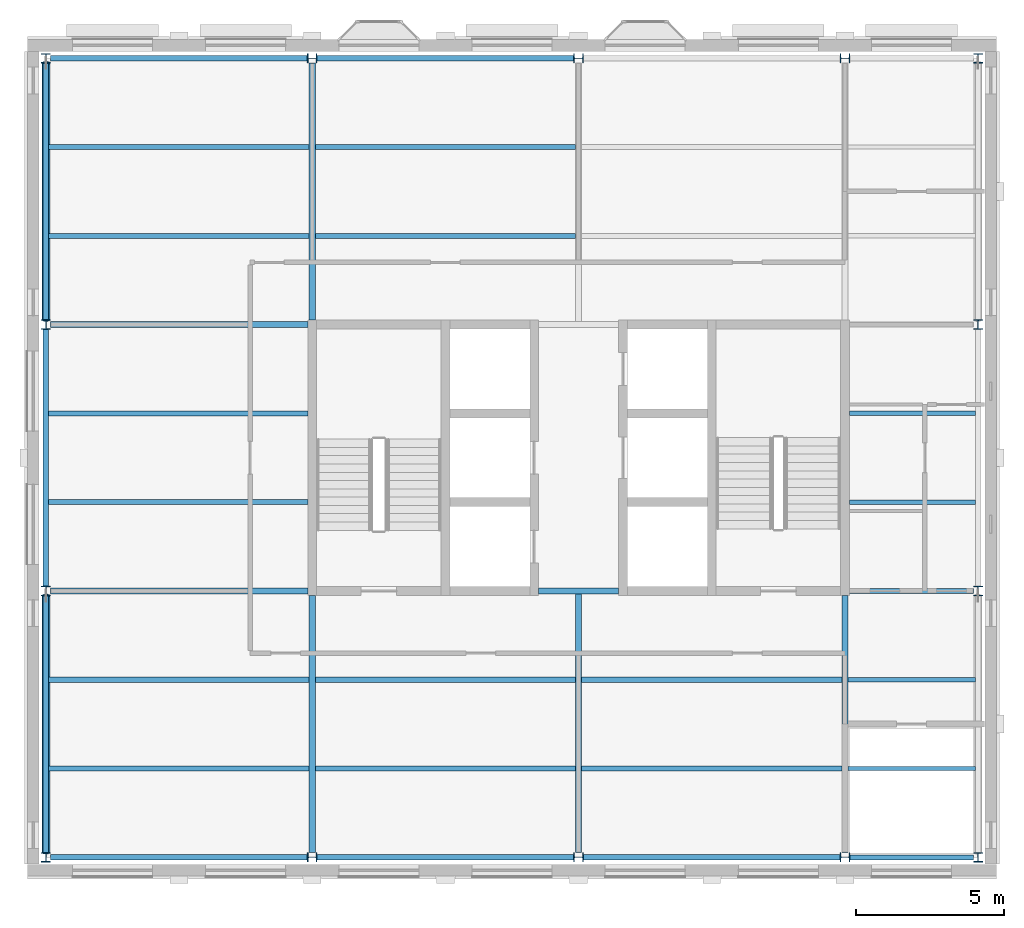
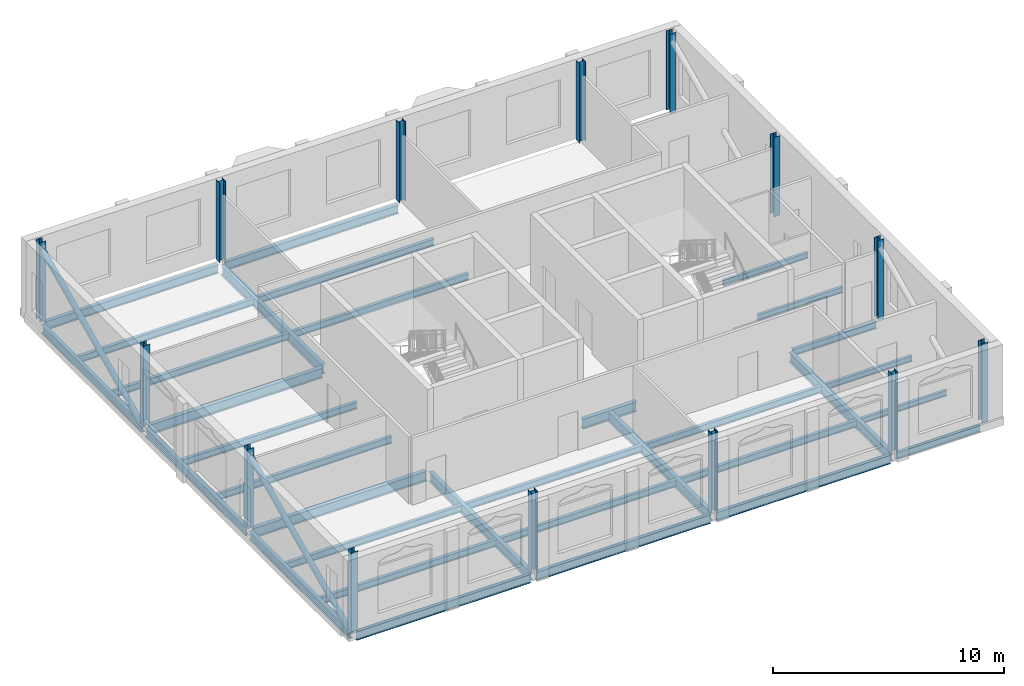
# One storey, part 1 of 9: 33 beams, 14 columns, 2 members.
"""IFC4 building model written with IfcOpenShell, lengths in metres."""

from ifc_helpers import new_model, si_unit, direction, frame, origin, origin_2d, place, context, subcontext, project, spatial, hollow_circle, i_section, extrude, material, material_profile, profile_set, type_object, element, save


model = new_model("IFC4")

# Units and contexts
model_context = context("Model", 3, precision=1e-05, world=origin(), true_north=direction((0.0, 1.0)))
body_context = subcontext(model_context, "Body", "Model", "MODEL_VIEW")
ifc_project = project(units=[si_unit("LENGTHUNIT", "METRE"), si_unit("AREAUNIT", "SQUARE_METRE"), si_unit("VOLUMEUNIT", "CUBIC_METRE"), si_unit("PLANEANGLEUNIT", "RADIAN"), si_unit("MASSUNIT", "GRAM", prefix="KILO")], contexts=[model_context])

# Site, building, storey
site_placement = place(None, origin())
site = spatial("IfcSite", under=ifc_project, at=site_placement, CompositionType="ELEMENT")
building_placement = place(site_placement, origin())
building = spatial("IfcBuilding", under=site, at=building_placement, Name="Hortulan Conservatory and Botanical Research Centre", CompositionType="ELEMENT")
storey_placement = place(building_placement, frame((0.0, 0.0, 48.60009765625)))
storey = spatial("IfcBuildingStorey", under=building, at=storey_placement, Name="L11", CompositionType="ELEMENT", Elevation=48.60009765625)

# Columns
ifc_material_1 = material(Name="Steel Grade 300PLUS (AS/NZS 3679.1, 280 MPa minimum yield)", Category="steel")
ifc_material_profile_1 = material_profile(ifc_material_1, i_section(OverallWidth=0.30908203125, OverallDepth=0.321044921875, WebThickness=0.013916015625, FlangeThickness=0.021728515625, FilletRadius=0.0166015625, at=origin_2d()), Name="310UC137")
ifc_profile_set_1 = profile_set([ifc_material_profile_1], Name="Steel Grade 300PLUS (AS/NZS 3679.1, 280 MPa minimum yield)")
column_type = type_object("IfcColumnType", Name="Tower Column 310UC137", PredefinedType="COLUMN", material=ifc_profile_set_1)
for number, where, z_axis, x_axis, name in (
    (1, (0.0, 0.0, 0.0), (0.0, 0.0, 1.0), (1.0, 0.0, 0.0), "310UC137 column"),
    (2, (0.0, 9.0, 0.0), (0.0, 0.0, 1.0), (1.0, 0.0, 0.0), "310UC137 column"),
    (3, (0.0, 18.0, 0.0), (0.0, 0.0, 1.0), (1.0, 0.0, 0.0), "310UC137 column"),
    (4, (0.0, 27.0, 0.0), (0.0, 0.0, 1.0), (1.0, 0.0, 0.0), "310UC137 column"),
    (5, (9.0, 0.0, 0.0), (0.0, 0.0, 1.0), (0.0, 1.0, 0.0), "310UC137 column"),
    (6, (9.0, 27.0, 0.0), (0.0, 0.0, 1.0), (0.0, 1.0, 0.0), "310UC137 column"),
    (7, (18.0, 0.0, 0.0), (0.0, 0.0, 1.0), (0.0, 1.0, 0.0), "310UC137 column"),
    (8, (18.0, 27.0, 0.0), (0.0, 0.0, 1.0), (0.0, 1.0, 0.0), "310UC137 column"),
    (9, (27.0, 0.0, 0.0), (0.0, 0.0, 1.0), (0.0, 1.0, 0.0), "310UC137 column"),
    (10, (27.0, 27.0, 0.0), (0.0, 0.0, 1.0), (0.0, 1.0, 0.0), "310UC137 column"),
    (11, (31.5, 0.0, 0.0), (0.0, 0.0, 1.0), (1.0, 0.0, 0.0), "310UC137 column"),
    (12, (31.5, 9.0, 0.0), (0.0, 0.0, 1.0), (1.0, 0.0, 0.0), "310UC137 column"),
    (13, (31.5, 18.0, 0.0), (0.0, 0.0, 1.0), (1.0, 0.0, 0.0), "310UC137 column"),
    (14, (31.5, 27.0, 0.0), (0.0, 0.0, 1.0), (1.0, 0.0, 0.0), "310UC137 column"),
):
    element("IfcColumn", number, at=place(storey_placement, frame(where, z_axis=z_axis, x_axis=x_axis)), inside=storey, type_object=column_type, Name=name, PredefinedType="COLUMN", context=body_context, shape_type="SweptSolid", body=[
        extrude(i_section(OverallWidth=0.30908203125, OverallDepth=0.321044921875, WebThickness=0.013916015625, FlangeThickness=0.021728515625, FilletRadius=0.0166015625, at=origin_2d()), origin(), (0.0, 0.0, 1.0), 4.199951171875),
    ])

# Members
ifc_material_2 = material(Name="Steel Grade C350L0 (350 MPa, AS/NZS 1163)", Category="steel")
ifc_material_profile_2 = material_profile(ifc_material_2, hollow_circle(Radius=0.136474609375, WallThickness=0.00927734375, at=origin_2d()), Name="273.1x9.3CHS")
ifc_profile_set_2 = profile_set([ifc_material_profile_2], Name="Steel Grade C350L0 (350 MPa, AS/NZS 1163)")
member_type = type_object("IfcMemberType", Name="Brace 273.1x9.3CHS", PredefinedType="BRACE", material=ifc_profile_set_2)
for number, where, z_axis, x_axis, name in (
    (15, (0.0, 0.160400390625, -0.28369140625), (0.0, 0.906183139995, 0.422885465331), (-1.0, 0.0, 0.0), "273.1x9.3CHS brace"),
    (16, (0.0, 18.160400390625, -0.28369140625), (0.0, 0.906183139995, 0.422885465331), (-1.0, 0.0, 0.0), "273.1x9.3CHS brace"),
):
    element("IfcMember", number, at=place(storey_placement, frame(where, z_axis=z_axis, x_axis=x_axis)), inside=storey, type_object=member_type, Name=name, PredefinedType="BRACE", context=body_context, shape_type="SweptSolid", body=[
        extrude(hollow_circle(Radius=0.136474609375, WallThickness=0.00927734375, at=origin_2d()), origin(), (0.0, 0.0, 1.0), 9.57763671875),
    ])

# Beams
ifc_material_profile_3 = material_profile(ifc_material_1, i_section(OverallWidth=0.1708984375, OverallDepth=0.35595703125, WebThickness=0.00732421875, FlangeThickness=0.011474609375, FilletRadius=0.011474609375, at=origin_2d()), Name="360UB50.7")
ifc_profile_set_3 = profile_set([ifc_material_profile_3], Name="Steel Grade 300PLUS (AS/NZS 3679.1, 280 MPa minimum yield)")
beam_type_1 = type_object("IfcBeamType", Name="Primary Beam 360UB50.7", PredefinedType="BEAM", material=ifc_profile_set_3)
beam_1_placement = place(storey_placement, frame((27.160400390625, 0.0, -0.30810546875), z_axis=(1.0, 0.0, 0.0), x_axis=(0.0, 1.0, 0.0)))
element("IfcBeam", 17, at=beam_1_placement, inside=storey, type_object=beam_type_1, Name="360UB50.7 girder", PredefinedType="BEAM", context=body_context, shape_type="SweptSolid", body=[
    extrude(i_section(OverallWidth=0.1708984375, OverallDepth=0.35595703125, WebThickness=0.00732421875, FlangeThickness=0.011474609375, FilletRadius=0.011474609375, at=origin_2d()), origin(), (0.0, 0.0, 1.0), 4.18505859375),
])
beam_2_placement = place(storey_placement, frame((27.14990234375, 9.0, -0.30810546875), z_axis=(1.0, 0.0, 0.0), x_axis=(0.0, 1.0, 0.0)))
element("IfcBeam", 18, at=beam_2_placement, inside=storey, type_object=beam_type_1, Name="360UB50.7 girder", PredefinedType="BEAM", context=body_context, shape_type="SweptSolid", body=[
    extrude(i_section(OverallWidth=0.1708984375, OverallDepth=0.35595703125, WebThickness=0.00732421875, FlangeThickness=0.011474609375, FilletRadius=0.011474609375, at=origin_2d()), origin(), (0.0, 0.0, 1.0), 4.195556640625),
])
ifc_material_profile_4 = material_profile(ifc_material_1, i_section(OverallWidth=0.18994140625, OverallDepth=0.45703125, WebThickness=0.009033203125, FlangeThickness=0.014404296875, FilletRadius=0.011474609375, at=origin_2d()), Name="460UB74.6")
ifc_profile_set_4 = profile_set([ifc_material_profile_4], Name="Steel Grade 300PLUS (AS/NZS 3679.1, 280 MPa minimum yield)")
beam_type_2 = type_object("IfcBeamType", Name="Primary Beam 460UB74.6", PredefinedType="BEAM", material=ifc_profile_set_4)
beam_3_placement = place(storey_placement, frame((0.0, 0.160400390625, -0.358642578125), z_axis=(0.0, 1.0, 0.0), x_axis=(-1.0, 0.0, 0.0)))
element("IfcBeam", 19, at=beam_3_placement, inside=storey, type_object=beam_type_2, Name="460UB74.6 girder", PredefinedType="BEAM", context=body_context, shape_type="SweptSolid", body=[
    extrude(i_section(OverallWidth=0.18994140625, OverallDepth=0.45703125, WebThickness=0.009033203125, FlangeThickness=0.014404296875, FilletRadius=0.011474609375, at=origin_2d()), origin(), (0.0, 0.0, 1.0), 8.67919921875),
])
beam_4_placement = place(storey_placement, frame((0.154541015625, 0.0, -0.358642578125), z_axis=(1.0, 0.0, 0.0), x_axis=(0.0, 1.0, 0.0)))
element("IfcBeam", 20, at=beam_4_placement, inside=storey, type_object=beam_type_2, Name="460UB74.6 girder", PredefinedType="BEAM", context=body_context, shape_type="SweptSolid", body=[
    extrude(i_section(OverallWidth=0.18994140625, OverallDepth=0.45703125, WebThickness=0.009033203125, FlangeThickness=0.014404296875, FilletRadius=0.011474609375, at=origin_2d()), origin(), (0.0, 0.0, 1.0), 8.68505859375),
])
for number, where, z_axis, x_axis, name in (
    (21, (0.0, 9.160400390625, -0.358642578125), (0.0, 1.0, 0.0), (-1.0, 0.0, 0.0), "460UB74.6 girder"),
    (22, (0.0, 18.160400390625, -0.358642578125), (0.0, 1.0, 0.0), (-1.0, 0.0, 0.0), "460UB74.6 girder"),
):
    element("IfcBeam", number, at=place(storey_placement, frame(where, z_axis=z_axis, x_axis=x_axis)), inside=storey, type_object=beam_type_2, Name=name, PredefinedType="BEAM", context=body_context, shape_type="SweptSolid", body=[
        extrude(i_section(OverallWidth=0.18994140625, OverallDepth=0.45703125, WebThickness=0.009033203125, FlangeThickness=0.014404296875, FilletRadius=0.011474609375, at=origin_2d()), origin(), (0.0, 0.0, 1.0), 8.67919921875),
    ])
beam_5_placement = place(storey_placement, frame((0.154541015625, 27.0, -0.358642578125), z_axis=(1.0, 0.0, 0.0), x_axis=(0.0, 1.0, 0.0)))
element("IfcBeam", 23, at=beam_5_placement, inside=storey, type_object=beam_type_2, Name="460UB74.6 girder", PredefinedType="BEAM", context=body_context, shape_type="SweptSolid", body=[
    extrude(i_section(OverallWidth=0.18994140625, OverallDepth=0.45703125, WebThickness=0.009033203125, FlangeThickness=0.014404296875, FilletRadius=0.011474609375, at=origin_2d()), origin(), (0.0, 0.0, 1.0), 8.68505859375),
])
for number, where, z_axis, x_axis, name in (
    (24, (9.160400390625, 0.0, -0.358642578125), (1.0, 0.0, 0.0), (0.0, 1.0, 0.0), "460UB74.6 girder"),
    (25, (9.160400390625, 27.0, -0.358642578125), (1.0, 0.0, 0.0), (0.0, 1.0, 0.0), "460UB74.6 girder"),
    (26, (18.160400390625, 0.0, -0.358642578125), (1.0, 0.0, 0.0), (0.0, 1.0, 0.0), "460UB74.6 girder"),
):
    element("IfcBeam", number, at=place(storey_placement, frame(where, z_axis=z_axis, x_axis=x_axis)), inside=storey, type_object=beam_type_2, Name=name, PredefinedType="BEAM", context=body_context, shape_type="SweptSolid", body=[
        extrude(i_section(OverallWidth=0.18994140625, OverallDepth=0.45703125, WebThickness=0.009033203125, FlangeThickness=0.014404296875, FilletRadius=0.011474609375, at=origin_2d()), origin(), (0.0, 0.0, 1.0), 8.67919921875),
    ])
ifc_material_profile_5 = material_profile(ifc_material_1, i_section(OverallWidth=0.208984375, OverallDepth=0.528076171875, WebThickness=0.009521484375, FlangeThickness=0.01318359375, FilletRadius=0.013916015625, at=origin_2d()), Name="530UB82.0")
ifc_profile_set_5 = profile_set([ifc_material_profile_5], Name="Steel Grade 300PLUS (AS/NZS 3679.1, 280 MPa minimum yield)")
beam_type_3 = type_object("IfcBeamType", Name="Primary Beam 530UB82.0", PredefinedType="BEAM", material=ifc_profile_set_5)
for number, where, z_axis, x_axis, name in (
    (27, (0.154541015625, 9.0, -0.39404296875), (1.0, 0.0, 0.0), (0.0, 1.0, 0.0), "530UB82.0 girder"),
    (28, (0.154541015625, 18.0, -0.39404296875), (1.0, 0.0, 0.0), (0.0, 1.0, 0.0), "530UB82.0 girder"),
    (29, (9.0, 0.154541015625, -0.39404296875), (0.0, 1.0, 0.0), (-1.0, 0.0, 0.0), "530UB82.0 girder"),
    (30, (9.0, 18.14990234375, -0.39404296875), (0.0, 1.0, 0.0), (-1.0, 0.0, 0.0), "530UB82.0 girder"),
):
    element("IfcBeam", number, at=place(storey_placement, frame(where, z_axis=z_axis, x_axis=x_axis)), inside=storey, type_object=beam_type_3, Name=name, PredefinedType="BEAM", context=body_context, shape_type="SweptSolid", body=[
        extrude(i_section(OverallWidth=0.208984375, OverallDepth=0.528076171875, WebThickness=0.009521484375, FlangeThickness=0.01318359375, FilletRadius=0.013916015625, at=origin_2d()), origin(), (0.0, 0.0, 1.0), 8.695556640625),
    ])
beam_6_placement = place(storey_placement, frame((16.64990234375, 9.0, -0.39404296875), z_axis=(1.0, 0.0, 0.0), x_axis=(0.0, 1.0, 0.0)))
element("IfcBeam", 31, at=beam_6_placement, inside=storey, type_object=beam_type_3, Name="530UB82.0 girder", PredefinedType="BEAM", context=body_context, shape_type="SweptSolid", body=[
    extrude(i_section(OverallWidth=0.208984375, OverallDepth=0.528076171875, WebThickness=0.009521484375, FlangeThickness=0.01318359375, FilletRadius=0.013916015625, at=origin_2d()), origin(), (0.0, 0.0, 1.0), 2.7001953125),
])
beam_7_placement = place(storey_placement, frame((18.0, 0.154541015625, -0.39404296875), z_axis=(0.0, 1.0, 0.0), x_axis=(-1.0, 0.0, 0.0)))
element("IfcBeam", 32, at=beam_7_placement, inside=storey, type_object=beam_type_3, Name="530UB82.0 girder", PredefinedType="BEAM", context=body_context, shape_type="SweptSolid", body=[
    extrude(i_section(OverallWidth=0.208984375, OverallDepth=0.528076171875, WebThickness=0.009521484375, FlangeThickness=0.01318359375, FilletRadius=0.013916015625, at=origin_2d()), origin(), (0.0, 0.0, 1.0), 8.845458984375),
])
beam_8_placement = place(storey_placement, frame((27.0, 0.154541015625, -0.39404296875), z_axis=(0.0, 1.0, 0.0), x_axis=(-1.0, 0.0, 0.0)))
element("IfcBeam", 33, at=beam_8_placement, inside=storey, type_object=beam_type_3, Name="530UB82.0 girder", PredefinedType="BEAM", context=body_context, shape_type="SweptSolid", body=[
    extrude(i_section(OverallWidth=0.208984375, OverallDepth=0.528076171875, WebThickness=0.009521484375, FlangeThickness=0.01318359375, FilletRadius=0.013916015625, at=origin_2d()), origin(), (0.0, 0.0, 1.0), 8.695556640625),
])
ifc_material_profile_6 = material_profile(ifc_material_1, i_section(OverallWidth=0.14892578125, OverallDepth=0.298095703125, WebThickness=0.005615234375, FlangeThickness=0.008056640625, FilletRadius=0.012939453125, at=origin_2d()), Name="310UB32.0")
ifc_profile_set_6 = profile_set([ifc_material_profile_6], Name="Steel Grade 300PLUS (AS/NZS 3679.1, 280 MPa minimum yield)")
beam_type_4 = type_object("IfcBeamType", Name="Secondary Beam 310UB32.0", PredefinedType="JOIST", material=ifc_profile_set_6)
for number, where, z_axis, x_axis, name in (
    (34, (27.1044921875, 3.0, -0.279052734375), (1.0, 0.0, 0.0), (0.0, 1.0, 0.0), "310UB32.0 secondary beam"),
    (35, (27.1044921875, 6.0, -0.279052734375), (1.0, 0.0, 0.0), (0.0, 1.0, 0.0), "310UB32.0 secondary beam"),
):
    element("IfcBeam", number, at=place(storey_placement, frame(where, z_axis=z_axis, x_axis=x_axis)), inside=storey, type_object=beam_type_4, Name=name, PredefinedType="JOIST", context=body_context, shape_type="SweptSolid", body=[
        extrude(i_section(OverallWidth=0.14892578125, OverallDepth=0.298095703125, WebThickness=0.005615234375, FlangeThickness=0.008056640625, FilletRadius=0.012939453125, at=origin_2d()), origin(), (0.0, 0.0, 1.0), 4.300537109375),
    ])
for number, where, z_axis, x_axis, name in (
    (36, (27.14990234375, 12.0, -0.279052734375), (1.0, 0.0, 0.0), (0.0, 1.0, 0.0), "310UB32.0 secondary beam"),
    (37, (27.14990234375, 15.0, -0.279052734375), (1.0, 0.0, 0.0), (0.0, 1.0, 0.0), "310UB32.0 secondary beam"),
):
    element("IfcBeam", number, at=place(storey_placement, frame(where, z_axis=z_axis, x_axis=x_axis)), inside=storey, type_object=beam_type_4, Name=name, PredefinedType="JOIST", context=body_context, shape_type="SweptSolid", body=[
        extrude(i_section(OverallWidth=0.14892578125, OverallDepth=0.298095703125, WebThickness=0.005615234375, FlangeThickness=0.008056640625, FilletRadius=0.012939453125, at=origin_2d()), origin(), (0.0, 0.0, 1.0), 4.255126953125),
    ])
ifc_material_profile_7 = material_profile(ifc_material_1, i_section(OverallWidth=0.1708984375, OverallDepth=0.35595703125, WebThickness=0.00732421875, FlangeThickness=0.011474609375, FilletRadius=0.011474609375, at=origin_2d()), Name="360UB50.7")
ifc_profile_set_7 = profile_set([ifc_material_profile_7], Name="Steel Grade 300PLUS (AS/NZS 3679.1, 280 MPa minimum yield)")
beam_type_5 = type_object("IfcBeamType", Name="Secondary Beam 360UB50.7", PredefinedType="JOIST", material=ifc_profile_set_7)
for number, where, z_axis, x_axis, name in (
    (38, (0.094970703125, 3.0, -0.30810546875), (1.0, 0.0, 0.0), (0.0, 1.0, 0.0), "360UB50.7 secondary beam"),
    (39, (0.094970703125, 6.0, -0.30810546875), (1.0, 0.0, 0.0), (0.0, 1.0, 0.0), "360UB50.7 secondary beam"),
):
    element("IfcBeam", number, at=place(storey_placement, frame(where, z_axis=z_axis, x_axis=x_axis)), inside=storey, type_object=beam_type_5, Name=name, PredefinedType="JOIST", context=body_context, shape_type="SweptSolid", body=[
        extrude(i_section(OverallWidth=0.1708984375, OverallDepth=0.35595703125, WebThickness=0.00732421875, FlangeThickness=0.011474609375, FilletRadius=0.011474609375, at=origin_2d()), origin(), (0.0, 0.0, 1.0), 8.800537109375),
    ])
for number, where, z_axis, x_axis, name in (
    (40, (0.094970703125, 12.0, -0.30810546875), (1.0, 0.0, 0.0), (0.0, 1.0, 0.0), "360UB50.7 secondary beam"),
    (41, (0.094970703125, 15.0, -0.30810546875), (1.0, 0.0, 0.0), (0.0, 1.0, 0.0), "360UB50.7 secondary beam"),
):
    element("IfcBeam", number, at=place(storey_placement, frame(where, z_axis=z_axis, x_axis=x_axis)), inside=storey, type_object=beam_type_5, Name=name, PredefinedType="JOIST", context=body_context, shape_type="SweptSolid", body=[
        extrude(i_section(OverallWidth=0.1708984375, OverallDepth=0.35595703125, WebThickness=0.00732421875, FlangeThickness=0.011474609375, FilletRadius=0.011474609375, at=origin_2d()), origin(), (0.0, 0.0, 1.0), 8.755126953125),
    ])
for number, where, z_axis, x_axis, name in (
    (42, (0.094970703125, 21.0, -0.30810546875), (1.0, 0.0, 0.0), (0.0, 1.0, 0.0), "360UB50.7 secondary beam"),
    (43, (0.094970703125, 24.0, -0.30810546875), (1.0, 0.0, 0.0), (0.0, 1.0, 0.0), "360UB50.7 secondary beam"),
):
    element("IfcBeam", number, at=place(storey_placement, frame(where, z_axis=z_axis, x_axis=x_axis)), inside=storey, type_object=beam_type_5, Name=name, PredefinedType="JOIST", context=body_context, shape_type="SweptSolid", body=[
        extrude(i_section(OverallWidth=0.1708984375, OverallDepth=0.35595703125, WebThickness=0.00732421875, FlangeThickness=0.011474609375, FilletRadius=0.011474609375, at=origin_2d()), origin(), (0.0, 0.0, 1.0), 8.800537109375),
    ])
for number, where, z_axis, x_axis, name in (
    (44, (9.1044921875, 3.0, -0.30810546875), (1.0, 0.0, 0.0), (0.0, 1.0, 0.0), "360UB50.7 secondary beam"),
    (45, (9.1044921875, 6.0, -0.30810546875), (1.0, 0.0, 0.0), (0.0, 1.0, 0.0), "360UB50.7 secondary beam"),
    (46, (9.1044921875, 21.0, -0.30810546875), (1.0, 0.0, 0.0), (0.0, 1.0, 0.0), "360UB50.7 secondary beam"),
    (47, (9.1044921875, 24.0, -0.30810546875), (1.0, 0.0, 0.0), (0.0, 1.0, 0.0), "360UB50.7 secondary beam"),
    (48, (18.1044921875, 3.0, -0.30810546875), (1.0, 0.0, 0.0), (0.0, 1.0, 0.0), "360UB50.7 secondary beam"),
    (49, (18.1044921875, 6.0, -0.30810546875), (1.0, 0.0, 0.0), (0.0, 1.0, 0.0), "360UB50.7 secondary beam"),
):
    element("IfcBeam", number, at=place(storey_placement, frame(where, z_axis=z_axis, x_axis=x_axis)), inside=storey, type_object=beam_type_5, Name=name, PredefinedType="JOIST", context=body_context, shape_type="SweptSolid", body=[
        extrude(i_section(OverallWidth=0.1708984375, OverallDepth=0.35595703125, WebThickness=0.00732421875, FlangeThickness=0.011474609375, FilletRadius=0.011474609375, at=origin_2d()), origin(), (0.0, 0.0, 1.0), 8.791015625),
    ])

save(model, "model.ifc")
